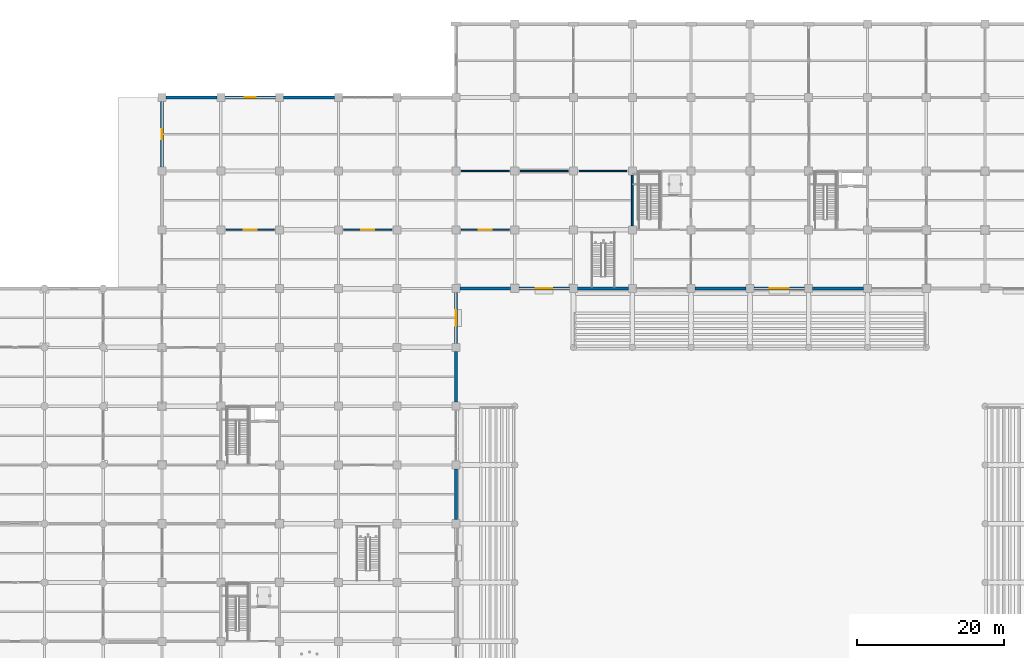
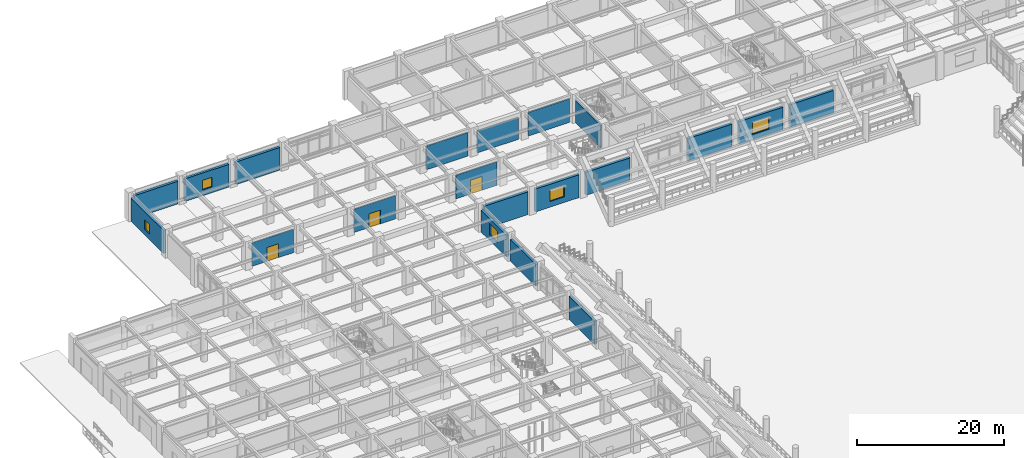
# One storey, part 89 of 125: 20 walls, 5 windows, 3 doors, 8 openings.
"""IFC4 building model written with IfcOpenShell, lengths in metres."""

from ifc_helpers import new_model, si_unit, direction, frame, frame_2d, origin, place, context, subcontext, project, spatial, rectangle, extrude, material, layer, layer_set, type_object, element, fill, save


model = new_model("IFC4")

# Units and contexts
model_context = context("Model", 3, precision=1e-05, world=origin(), true_north=direction((0.0, 1.0)))
body_context = subcontext(model_context, "Body", "Model", "MODEL_VIEW")
ifc_project = project(units=[si_unit("LENGTHUNIT", "METRE"), si_unit("AREAUNIT", "SQUARE_METRE"), si_unit("VOLUMEUNIT", "CUBIC_METRE"), si_unit("PLANEANGLEUNIT", "RADIAN"), si_unit("MASSUNIT", "GRAM", prefix="KILO")], contexts=[model_context])

# Site, building, storey
site_placement = place(None, origin())
site = spatial("IfcSite", under=ifc_project, at=site_placement, CompositionType="ELEMENT")
building_placement = place(site_placement, origin())
building = spatial("IfcBuilding", under=site, at=building_placement, Name="Haebicheon Civic Stadium", CompositionType="ELEMENT")
storey_placement = place(building_placement, origin())
storey = spatial("IfcBuildingStorey", under=building, at=storey_placement, Name="L01", CompositionType="ELEMENT", Elevation=0.0)

# Walls
ifc_material_1 = material(Name="Concrete C40/50", Category="concrete")
ifc_layer_1 = layer(ifc_material_1, 0.239990234375, Name="Concrete C40/50")
ifc_layer_set_1 = layer_set([ifc_layer_1], Name="Concrete C40/50")
wall_type_1 = type_object("IfcWallType", Name="CW-SHR-240", PredefinedType="SHEAR", material=ifc_layer_set_1)
wall_1_placement = place(storey_placement, frame((88.0, 160.550048828125, 0.0), z_axis=(0.0, 0.0, 1.0), x_axis=(0.0, 1.0, 0.0)))
element("IfcWall", 1, at=wall_1_placement, inside=storey, type_object=wall_type_1, material=ifc_layer_set_1, Name="KC-08 L01 west core shear wall", PredefinedType="SHEAR", context=body_context, shape_type="SweptSolid", body=[
    extrude(rectangle(XDim=6.89990234375, YDim=0.239990234375, at=frame_2d((3.449951171875, 0.0))), origin(), (0.0, 0.0, 1.0), 3.659912109375),
])
ifc_material_2 = material(Name="Concrete C40/50", Category="concrete")
ifc_layer_2 = layer(ifc_material_2, 0.39990234375, Name="Concrete C40/50")
ifc_layer_set_2 = layer_set([ifc_layer_2], Name="Concrete C40/50")
wall_type_2 = type_object("IfcWallType", Name="EW-BM-400", PredefinedType="SOLIDWALL", material=ifc_layer_set_2)
wall_2_placement = place(storey_placement, frame((24.550048828125, 178.0, 0.0), z_axis=(0.0, 0.0, 1.0), x_axis=(1.0, 0.0, 0.0)))
element("IfcWall", 2, at=wall_2_placement, inside=storey, type_object=wall_type_2, material=ifc_layer_set_2, Name="L01 board-marked concrete facade wall 03-22-N", PredefinedType="SOLIDWALL", context=body_context, shape_type="SweptSolid", body=[
    extrude(rectangle(XDim=6.89990234375, YDim=0.39990234375, at=frame_2d((3.449951171875, 0.0))), origin(), (0.0, 0.0, 1.0), 3.77001953125),
])

# Wall, opening, window
wall_3_placement = place(storey_placement, frame((24.0, 168.550048828125, 0.0), z_axis=(0.0, 0.0, 1.0), x_axis=(0.0, 1.0, 0.0)))
wall_3 = element("IfcWall", 3, at=wall_3_placement, inside=storey, type_object=wall_type_2, material=ifc_layer_set_2, Name="L01 board-marked concrete facade wall 03-21-W", PredefinedType="SOLIDWALL", context=body_context, shape_type="SweptSolid", body=[
    extrude(rectangle(XDim=8.89990234375, YDim=0.39990234375, at=frame_2d((4.449951171875, 0.0))), origin(), (0.0, 0.0, 1.0), 3.8701171875),
])
opening_1_placement = place(wall_3_placement, frame((3.77490234375, 0.0, 0.949951171875)))
opening_1 = element("IfcOpeningElement", 4, at=opening_1_placement, cuts=wall_3, Name="Opening WIN-135x160", PredefinedType="OPENING", context=body_context, shape_type="SweptSolid", body=[
    extrude(rectangle(XDim=1.35009765625, YDim=1.60009765625, at=frame_2d((0.675048828125, 0.800048828125))), frame((0.0, 0.2099609375, 0.0), z_axis=(0.0, -1.0, 0.0), x_axis=(1.0, 0.0, 0.0)), (0.0, 0.0, 1.0), 0.419921875),
])
ifc_material_3 = material(Name="Anodised aluminium and laminated glass", Category="aluminium")
window_type_1 = type_object("IfcWindowType", Name="WIN-135x160", PartitioningType="SINGLE_PANEL", PredefinedType="WINDOW", material=ifc_material_3)
window_1_placement = place(opening_1_placement, origin())
window_1 = element("IfcWindow", 5, at=window_1_placement, inside=storey, type_object=window_type_1, material=ifc_material_3, Name="L01 facade window 004", OverallHeight=1.60009765625, OverallWidth=1.35009765625, PartitioningType="SINGLE_PANEL", PredefinedType="WINDOW", context=body_context, shape_type="SweptSolid", body=[
    extrude(rectangle(XDim=1.35009765625, YDim=1.60009765625, at=frame_2d((0.675048828125, 0.800048828125))), frame((0.0, 0.030029296875, 0.0), z_axis=(0.0, -1.0, 0.0), x_axis=(1.0, 0.0, 0.0)), (0.0, 0.0, 1.0), 0.06005859375),
])
fill(opening_1, window_1)

wall_4_placement = place(storey_placement, frame((32.550048828125, 178.0, 0.0), z_axis=(0.0, 0.0, 1.0), x_axis=(1.0, 0.0, 0.0)))
wall_4 = element("IfcWall", 6, at=wall_4_placement, inside=storey, type_object=wall_type_2, material=ifc_layer_set_2, Name="L01 board-marked concrete facade wall 04-22-N", PredefinedType="SOLIDWALL", context=body_context, shape_type="SweptSolid", body=[
    extrude(rectangle(XDim=6.89990234375, YDim=0.39990234375, at=frame_2d((3.449951171875, 0.0))), origin(), (0.0, 0.0, 1.0), 3.77001953125),
])
opening_2_placement = place(wall_4_placement, frame((2.699951171875, 0.0, 0.949951171875)))
opening_2 = element("IfcOpeningElement", 7, at=opening_2_placement, cuts=wall_4, Name="Opening WIN-150x160", PredefinedType="OPENING", context=body_context, shape_type="SweptSolid", body=[
    extrude(rectangle(XDim=1.5, YDim=1.60009765625, at=frame_2d((0.75, 0.800048828125))), frame((0.0, 0.2099609375, 0.0), z_axis=(0.0, -1.0, 0.0), x_axis=(1.0, 0.0, 0.0)), (0.0, 0.0, 1.0), 0.419921875),
])
ifc_material_4 = material(Name="Anodised aluminium and laminated glass", Category="aluminium")
window_type_2 = type_object("IfcWindowType", Name="WIN-150x160", PartitioningType="SINGLE_PANEL", PredefinedType="WINDOW", material=ifc_material_4)
window_2_placement = place(opening_2_placement, origin())
window_2 = element("IfcWindow", 8, at=window_2_placement, inside=storey, type_object=window_type_2, material=ifc_material_4, Name="L01 facade window 005", OverallHeight=1.60009765625, OverallWidth=1.5, PartitioningType="SINGLE_PANEL", PredefinedType="WINDOW", context=body_context, shape_type="SweptSolid", body=[
    extrude(rectangle(XDim=1.5, YDim=1.60009765625, at=frame_2d((0.75, 0.800048828125))), frame((0.0, 0.030029296875, 0.0), z_axis=(0.0, -1.0, 0.0), x_axis=(1.0, 0.0, 0.0)), (0.0, 0.0, 1.0), 0.06005859375),
])
fill(opening_2, window_2)

# Walls
wall_5_placement = place(storey_placement, frame((40.550048828125, 178.0, 0.0), z_axis=(0.0, 0.0, 1.0), x_axis=(1.0, 0.0, 0.0)))
element("IfcWall", 9, at=wall_5_placement, inside=storey, type_object=wall_type_2, material=ifc_layer_set_2, Name="L01 board-marked concrete facade wall 05-22-N", PredefinedType="SOLIDWALL", context=body_context, shape_type="SweptSolid", body=[
    extrude(rectangle(XDim=6.89990234375, YDim=0.39990234375, at=frame_2d((3.449951171875, 0.0))), origin(), (0.0, 0.0, 1.0), 3.77001953125),
])
wall_6_placement = place(storey_placement, frame((64.0, 120.550048828125, 0.0), z_axis=(0.0, 0.0, 1.0), x_axis=(0.0, 1.0, 0.0)))
element("IfcWall", 10, at=wall_6_placement, inside=storey, type_object=wall_type_2, material=ifc_layer_set_2, Name="L01 board-marked concrete facade wall 08-15-E", PredefinedType="SOLIDWALL", context=body_context, shape_type="SweptSolid", body=[
    extrude(rectangle(XDim=6.89990234375, YDim=0.39990234375, at=frame_2d((3.449951171875, 0.0))), origin(), (0.0, 0.0, 1.0), 3.8701171875),
])
wall_7_placement = place(storey_placement, frame((64.0, 136.550048828125, 0.0), z_axis=(0.0, 0.0, 1.0), x_axis=(0.0, 1.0, 0.0)))
element("IfcWall", 11, at=wall_7_placement, inside=storey, type_object=wall_type_2, material=ifc_layer_set_2, Name="L01 board-marked concrete facade wall 08-17-E", PredefinedType="SOLIDWALL", context=body_context, shape_type="SweptSolid", body=[
    extrude(rectangle(XDim=6.89990234375, YDim=0.39990234375, at=frame_2d((3.449951171875, 0.0))), origin(), (0.0, 0.0, 1.0), 3.6201171875),
])

# Wall, opening, window
wall_8_placement = place(storey_placement, frame((64.0, 144.550048828125, 0.0), z_axis=(0.0, 0.0, 1.0), x_axis=(0.0, 1.0, 0.0)))
wall_8 = element("IfcWall", 12, at=wall_8_placement, inside=storey, type_object=wall_type_2, material=ifc_layer_set_2, Name="L01 board-marked concrete facade wall 08-18-E", PredefinedType="SOLIDWALL", context=body_context, shape_type="SweptSolid", body=[
    extrude(rectangle(XDim=6.89990234375, YDim=0.39990234375, at=frame_2d((3.449951171875, 0.0))), origin(), (0.0, 0.0, 1.0), 3.6201171875),
])
opening_3_placement = place(wall_8_placement, frame((2.39990234375, 0.0, 0.949951171875)))
opening_3 = element("IfcOpeningElement", 13, at=opening_3_placement, cuts=wall_8, Name="Opening WIN-210x190", PredefinedType="OPENING", context=body_context, shape_type="SweptSolid", body=[
    extrude(rectangle(XDim=2.10009765625, YDim=1.89990234375, at=frame_2d((1.050048828125, 0.949951171875))), frame((0.0, 0.2099609375, 0.0), z_axis=(0.0, -1.0, 0.0), x_axis=(1.0, 0.0, 0.0)), (0.0, 0.0, 1.0), 0.419921875),
])
ifc_material_5 = material(Name="Anodised aluminium and laminated glass", Category="aluminium")
window_type_3 = type_object("IfcWindowType", Name="WIN-210x190", PartitioningType="SINGLE_PANEL", PredefinedType="WINDOW", material=ifc_material_5)
window_3_placement = place(opening_3_placement, origin())
window_3 = element("IfcWindow", 14, at=window_3_placement, inside=storey, type_object=window_type_3, material=ifc_material_5, Name="L01 facade window 009", OverallHeight=1.89990234375, OverallWidth=2.10009765625, PartitioningType="SINGLE_PANEL", PredefinedType="WINDOW", context=body_context, shape_type="SweptSolid", body=[
    extrude(rectangle(XDim=2.10009765625, YDim=1.89990234375, at=frame_2d((1.050048828125, 0.949951171875))), frame((0.0, 0.030029296875, 0.0), z_axis=(0.0, -1.0, 0.0), x_axis=(1.0, 0.0, 0.0)), (0.0, 0.0, 1.0), 0.06005859375),
])
fill(opening_3, window_3)

# Wall
wall_9_placement = place(storey_placement, frame((64.550048828125, 152.0, 0.0), z_axis=(0.0, 0.0, 1.0), x_axis=(1.0, 0.0, 0.0)))
element("IfcWall", 15, at=wall_9_placement, inside=storey, type_object=wall_type_2, material=ifc_layer_set_2, Name="L01 board-marked concrete facade wall 08-19-S", PredefinedType="SOLIDWALL", context=body_context, shape_type="SweptSolid", body=[
    extrude(rectangle(XDim=6.89990234375, YDim=0.39990234375, at=frame_2d((3.449951171875, 0.0))), origin(), (0.0, 0.0, 1.0), 3.77001953125),
])

# Wall, opening, window
wall_10_placement = place(storey_placement, frame((72.550048828125, 152.0, 0.0), z_axis=(0.0, 0.0, 1.0), x_axis=(1.0, 0.0, 0.0)))
wall_10 = element("IfcWall", 16, at=wall_10_placement, inside=storey, type_object=wall_type_2, material=ifc_layer_set_2, Name="L01 board-marked concrete facade wall 09-19-S", PredefinedType="SOLIDWALL", context=body_context, shape_type="SweptSolid", body=[
    extrude(rectangle(XDim=6.89990234375, YDim=0.39990234375, at=frame_2d((3.449951171875, 0.0))), origin(), (0.0, 0.0, 1.0), 3.81005859375),
])
opening_4_placement = place(wall_10_placement, frame((2.324951171875, 0.0, 0.949951171875)))
opening_4 = element("IfcOpeningElement", 17, at=opening_4_placement, cuts=wall_10, Name="Opening WIN-225x190", PredefinedType="OPENING", context=body_context, shape_type="SweptSolid", body=[
    extrude(rectangle(XDim=2.25, YDim=1.89990234375, at=frame_2d((1.125, 0.949951171875))), frame((0.0, 0.2099609375, 0.0), z_axis=(0.0, -1.0, 0.0), x_axis=(1.0, 0.0, 0.0)), (0.0, 0.0, 1.0), 0.419921875),
])
ifc_material_6 = material(Name="Anodised aluminium and laminated glass", Category="aluminium")
window_type_4 = type_object("IfcWindowType", Name="WIN-225x190", PartitioningType="SINGLE_PANEL", PredefinedType="WINDOW", material=ifc_material_6)
window_4_placement = place(opening_4_placement, origin())
window_4 = element("IfcWindow", 18, at=window_4_placement, inside=storey, type_object=window_type_4, material=ifc_material_6, Name="L01 facade window 010", OverallHeight=1.89990234375, OverallWidth=2.25, PartitioningType="SINGLE_PANEL", PredefinedType="WINDOW", context=body_context, shape_type="SweptSolid", body=[
    extrude(rectangle(XDim=2.25, YDim=1.89990234375, at=frame_2d((1.125, 0.949951171875))), frame((0.0, 0.030029296875, 0.0), z_axis=(0.0, -1.0, 0.0), x_axis=(1.0, 0.0, 0.0)), (0.0, 0.0, 1.0), 0.06005859375),
])
fill(opening_4, window_4)

# Walls
for number, where, z_axis, x_axis, name in (
    (19, (80.550048828125, 152.0, 0.0), (0.0, 0.0, 1.0), (1.0, 0.0, 0.0), "L01 board-marked concrete facade wall 10-19-S"),
    (20, (96.550048828125, 152.0, 0.0), (0.0, 0.0, 1.0), (1.0, 0.0, 0.0), "L01 board-marked concrete facade wall 12-19-S"),
):
    element("IfcWall", number, at=place(storey_placement, frame(where, z_axis=z_axis, x_axis=x_axis)), inside=storey, type_object=wall_type_2, material=ifc_layer_set_2, Name=name, PredefinedType="SOLIDWALL", context=body_context, shape_type="SweptSolid", body=[
        extrude(rectangle(XDim=6.89990234375, YDim=0.39990234375, at=frame_2d((3.449951171875, 0.0))), origin(), (0.0, 0.0, 1.0), 3.81005859375),
    ])

# Wall, opening, window
wall_11_placement = place(storey_placement, frame((104.550048828125, 152.0, 0.0), z_axis=(0.0, 0.0, 1.0), x_axis=(1.0, 0.0, 0.0)))
wall_11 = element("IfcWall", 21, at=wall_11_placement, inside=storey, type_object=wall_type_2, material=ifc_layer_set_2, Name="L01 board-marked concrete facade wall 13-19-S", PredefinedType="SOLIDWALL", context=body_context, shape_type="SweptSolid", body=[
    extrude(rectangle(XDim=6.89990234375, YDim=0.39990234375, at=frame_2d((3.449951171875, 0.0))), origin(), (0.0, 0.0, 1.0), 3.81005859375),
])
opening_5_placement = place(wall_11_placement, frame((2.175048828125, 0.0, 0.949951171875)))
opening_5 = element("IfcOpeningElement", 22, at=opening_5_placement, cuts=wall_11, Name="Opening WIN-255x200", PredefinedType="OPENING", context=body_context, shape_type="SweptSolid", body=[
    extrude(rectangle(XDim=2.550048828125, YDim=2.0, at=frame_2d((1.27490234375, 1.0))), frame((0.0, 0.2099609375, 0.0), z_axis=(0.0, -1.0, 0.0), x_axis=(1.0, 0.0, 0.0)), (0.0, 0.0, 1.0), 0.419921875),
])
ifc_material_7 = material(Name="Anodised aluminium and laminated glass", Category="aluminium")
window_type_5 = type_object("IfcWindowType", Name="WIN-255x200", PartitioningType="SINGLE_PANEL", PredefinedType="WINDOW", material=ifc_material_7)
window_5_placement = place(opening_5_placement, origin())
window_5 = element("IfcWindow", 23, at=window_5_placement, inside=storey, type_object=window_type_5, material=ifc_material_7, Name="L01 facade window 012", OverallHeight=2.0, OverallWidth=2.550048828125, PartitioningType="SINGLE_PANEL", PredefinedType="WINDOW", context=body_context, shape_type="SweptSolid", body=[
    extrude(rectangle(XDim=2.550048828125, YDim=2.0, at=frame_2d((1.27490234375, 1.0))), frame((0.0, 0.030029296875, 0.0), z_axis=(0.0, -1.0, 0.0), x_axis=(1.0, 0.0, 0.0)), (0.0, 0.0, 1.0), 0.06005859375),
])
fill(opening_5, window_5)

# Walls
wall_12_placement = place(storey_placement, frame((112.550048828125, 152.0, 0.0), z_axis=(0.0, 0.0, 1.0), x_axis=(1.0, 0.0, 0.0)))
element("IfcWall", 24, at=wall_12_placement, inside=storey, type_object=wall_type_2, material=ifc_layer_set_2, Name="L01 board-marked concrete facade wall 14-19-S", PredefinedType="SOLIDWALL", context=body_context, shape_type="SweptSolid", body=[
    extrude(rectangle(XDim=6.89990234375, YDim=0.39990234375, at=frame_2d((3.449951171875, 0.0))), origin(), (0.0, 0.0, 1.0), 3.81005859375),
])
ifc_material_8 = material(Name="Concrete C35/45", Category="concrete")
ifc_layer_3 = layer(ifc_material_8, 0.199951171875, Name="Concrete C35/45")
ifc_layer_set_3 = layer_set([ifc_layer_3], Name="Concrete C35/45")
wall_type_3 = type_object("IfcWallType", Name="IW-FIR-200", PredefinedType="PARTITIONING", material=ifc_layer_set_3)
wall_13_placement = place(storey_placement, frame((64.75, 168.0, 0.0), z_axis=(0.0, 0.0, 1.0), x_axis=(1.0, 0.0, 0.0)))
element("IfcWall", 25, at=wall_13_placement, inside=storey, type_object=wall_type_3, material=ifc_layer_set_3, Name="L01 KC-08 protected exit passage EI 120 wall 02", PredefinedType="PARTITIONING", context=body_context, shape_type="SweptSolid", body=[
    extrude(rectangle(XDim=6.5, YDim=0.199951171875, at=frame_2d((3.25, 0.0))), origin(), (0.0, 0.0, 1.0), 3.909912109375),
])
wall_14_placement = place(storey_placement, frame((72.75, 168.0, 0.0), z_axis=(0.0, 0.0, 1.0), x_axis=(1.0, 0.0, 0.0)))
element("IfcWall", 26, at=wall_14_placement, inside=storey, type_object=wall_type_3, material=ifc_layer_set_3, Name="L01 KC-08 protected exit passage EI 120 wall 04", PredefinedType="PARTITIONING", context=body_context, shape_type="SweptSolid", body=[
    extrude(rectangle(XDim=6.5, YDim=0.199951171875, at=frame_2d((3.25, 0.0))), origin(), (0.0, 0.0, 1.0), 3.659912109375),
])
wall_15_placement = place(storey_placement, frame((80.75, 168.0, 0.0), z_axis=(0.0, 0.0, 1.0), x_axis=(1.0, 0.0, 0.0)))
element("IfcWall", 27, at=wall_15_placement, inside=storey, type_object=wall_type_3, material=ifc_layer_set_3, Name="L01 KC-08 protected exit passage EI 120 wall 06", PredefinedType="PARTITIONING", context=body_context, shape_type="SweptSolid", body=[
    extrude(rectangle(XDim=6.5, YDim=0.199951171875, at=frame_2d((3.25, 0.0))), origin(), (0.0, 0.0, 1.0), 3.909912109375),
])

# Wall, opening, door
ifc_material_9 = material(Name="Gypsum plasterboard on steel studs", Category="gypsum")
ifc_layer_4 = layer(ifc_material_9, 0.14990234375, Name="Gypsum plasterboard on steel studs")
ifc_layer_set_4 = layer_set([ifc_layer_4], Name="Gypsum plasterboard on steel studs")
wall_type_4 = type_object("IfcWallType", Name="IW-PRT-150", PredefinedType="PARTITIONING", material=ifc_layer_set_4)
wall_16_placement = place(storey_placement, frame((32.75, 160.0, 0.0), z_axis=(0.0, 0.0, 1.0), x_axis=(1.0, 0.0, 0.0)))
wall_16 = element("IfcWall", 28, at=wall_16_placement, inside=storey, type_object=wall_type_4, material=ifc_layer_set_4, Name="L01 Mixed Zone Media Interview Hall partition wall", PredefinedType="PARTITIONING", context=body_context, shape_type="SweptSolid", body=[
    extrude(rectangle(XDim=6.5, YDim=0.14990234375, at=frame_2d((3.25, 0.0))), origin(), (0.0, 0.0, 1.0), 3.8701171875),
])
opening_6_placement = place(wall_16_placement, frame((2.35009765625, 0.0, 0.0)))
opening_6 = element("IfcOpeningElement", 29, at=opening_6_placement, cuts=wall_16, Name="Opening D-L01-122", PredefinedType="OPENING", context=body_context, shape_type="SweptSolid", body=[
    extrude(rectangle(XDim=1.800048828125, YDim=2.300048828125, at=frame_2d((0.89990234375, 1.14990234375))), frame((0.0, 0.0849609375, 0.0), z_axis=(0.0, -1.0, 0.0), x_axis=(1.0, 0.0, 0.0)), (0.0, 0.0, 1.0), 0.169921875),
])
ifc_material_10 = material(Name="Galvanised painted steel SM355", Category="steel")
door_type = type_object("IfcDoorType", Name="ID-DBL-1800", OperationType="NOTDEFINED", PredefinedType="DOOR", material=ifc_material_10)
door_1_placement = place(opening_6_placement, origin())
door_1 = element("IfcDoor", 30, at=door_1_placement, inside=storey, type_object=door_type, material=ifc_material_10, Name="L01 Mixed Zone Media Interview Hall entrance door D-L01-122", OperationType="DOUBLE_SWING_LEFT", OverallHeight=2.300048828125, OverallWidth=1.800048828125, PredefinedType="DOOR", context=body_context, shape_type="SweptSolid", body=[
    extrude(rectangle(XDim=1.800048828125, YDim=2.300048828125, at=frame_2d((0.89990234375, 1.14990234375))), frame((0.0, 0.02490234375, 0.0), z_axis=(0.0, -1.0, 0.0), x_axis=(1.0, 0.0, 0.0)), (0.0, 0.0, 1.0), 0.050048828125),
])
fill(opening_6, door_1)

wall_17_placement = place(storey_placement, frame((48.75, 160.0, 0.0), z_axis=(0.0, 0.0, 1.0), x_axis=(1.0, 0.0, 0.0)))
wall_17 = element("IfcWall", 31, at=wall_17_placement, inside=storey, type_object=wall_type_4, material=ifc_layer_set_4, Name="L01 Mixed Zone Media Interview Hall partition wall", PredefinedType="PARTITIONING", context=body_context, shape_type="SweptSolid", body=[
    extrude(rectangle(XDim=6.5, YDim=0.14990234375, at=frame_2d((3.25, 0.0))), origin(), (0.0, 0.0, 1.0), 3.8701171875),
])
opening_7_placement = place(wall_17_placement, frame((2.35009765625, 0.0, 0.0)))
opening_7 = element("IfcOpeningElement", 32, at=opening_7_placement, cuts=wall_17, Name="Opening D-L01-128", PredefinedType="OPENING", context=body_context, shape_type="SweptSolid", body=[
    extrude(rectangle(XDim=1.800048828125, YDim=2.300048828125, at=frame_2d((0.89990234375, 1.14990234375))), frame((0.0, 0.0849609375, 0.0), z_axis=(0.0, -1.0, 0.0), x_axis=(1.0, 0.0, 0.0)), (0.0, 0.0, 1.0), 0.169921875),
])
door_2_placement = place(opening_7_placement, origin())
door_2 = element("IfcDoor", 33, at=door_2_placement, inside=storey, type_object=door_type, material=ifc_material_10, Name="L01 Mixed Zone Media Interview Hall entrance door D-L01-128", OperationType="DOUBLE_SWING_LEFT", OverallHeight=2.300048828125, OverallWidth=1.800048828125, PredefinedType="DOOR", context=body_context, shape_type="SweptSolid", body=[
    extrude(rectangle(XDim=1.800048828125, YDim=2.300048828125, at=frame_2d((0.89990234375, 1.14990234375))), frame((0.0, 0.02490234375, 0.0), z_axis=(0.0, -1.0, 0.0), x_axis=(1.0, 0.0, 0.0)), (0.0, 0.0, 1.0), 0.050048828125),
])
fill(opening_7, door_2)

wall_18_placement = place(storey_placement, frame((64.75, 160.0, 0.0), z_axis=(0.0, 0.0, 1.0), x_axis=(1.0, 0.0, 0.0)))
wall_18 = element("IfcWall", 34, at=wall_18_placement, inside=storey, type_object=wall_type_4, material=ifc_layer_set_4, Name="L01 Supporters' Dining Hall partition wall", PredefinedType="PARTITIONING", context=body_context, shape_type="SweptSolid", body=[
    extrude(rectangle(XDim=6.5, YDim=0.14990234375, at=frame_2d((3.25, 0.0))), origin(), (0.0, 0.0, 1.0), 3.909912109375),
])
opening_8_placement = place(wall_18_placement, frame((2.35009765625, 0.0, 0.0)))
opening_8 = element("IfcOpeningElement", 35, at=opening_8_placement, cuts=wall_18, Name="Opening D-L01-129", PredefinedType="OPENING", context=body_context, shape_type="SweptSolid", body=[
    extrude(rectangle(XDim=1.800048828125, YDim=2.300048828125, at=frame_2d((0.89990234375, 1.14990234375))), frame((0.0, 0.0849609375, 0.0), z_axis=(0.0, -1.0, 0.0), x_axis=(1.0, 0.0, 0.0)), (0.0, 0.0, 1.0), 0.169921875),
])
door_3_placement = place(opening_8_placement, origin())
door_3 = element("IfcDoor", 36, at=door_3_placement, inside=storey, type_object=door_type, material=ifc_material_10, Name="L01 Supporters' Dining Hall entrance door D-L01-129", OperationType="DOUBLE_SWING_LEFT", OverallHeight=2.300048828125, OverallWidth=1.800048828125, PredefinedType="DOOR", context=body_context, shape_type="SweptSolid", body=[
    extrude(rectangle(XDim=1.800048828125, YDim=2.300048828125, at=frame_2d((0.89990234375, 1.14990234375))), frame((0.0, 0.02490234375, 0.0), z_axis=(0.0, -1.0, 0.0), x_axis=(1.0, 0.0, 0.0)), (0.0, 0.0, 1.0), 0.050048828125),
])
fill(opening_8, door_3)

save(model, "model.ifc")
